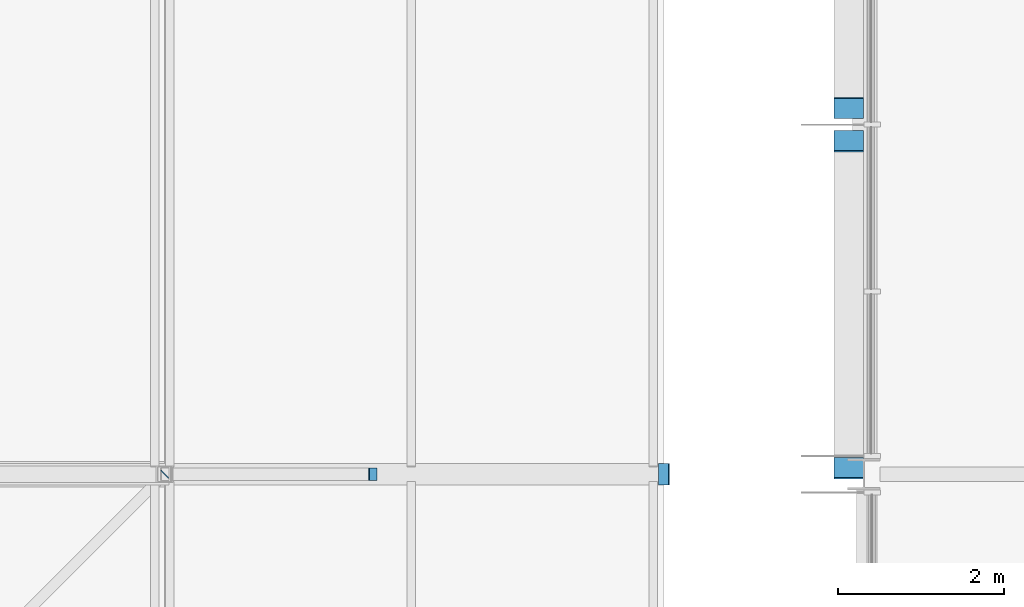
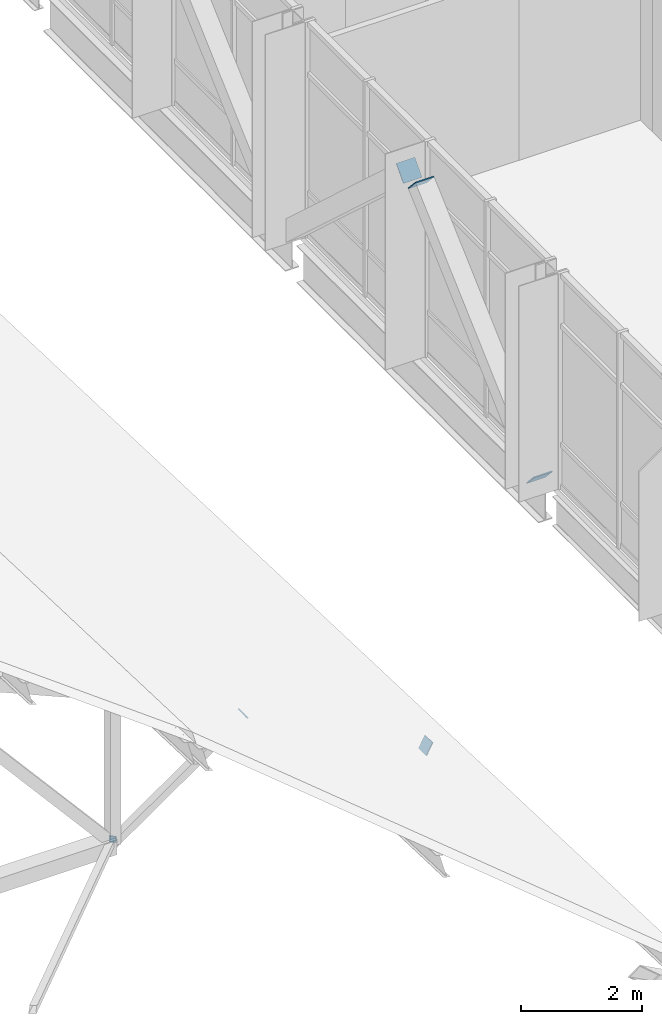
# One storey, part 54 of 76: 6 discrete accessories.
"""IFC4 building model written with IfcOpenShell, lengths in metres."""

from ifc_helpers import new_model, si_unit, direction, frame, origin, origin_2d, place, context, subcontext, project, spatial, rectangle, extrude, material, element, save


model = new_model("IFC4")

# Units and contexts
model_context = context("Model", 3, precision=1e-05, world=origin(), true_north=direction((0.0, 1.0)))
body_context = subcontext(model_context, "Body", "Model", "MODEL_VIEW")
ifc_project = project(units=[si_unit("LENGTHUNIT", "METRE"), si_unit("AREAUNIT", "SQUARE_METRE"), si_unit("VOLUMEUNIT", "CUBIC_METRE"), si_unit("PLANEANGLEUNIT", "RADIAN"), si_unit("MASSUNIT", "GRAM", prefix="KILO")], contexts=[model_context])

# Site, building, storey
site_placement = place(None, origin())
site = spatial("IfcSite", under=ifc_project, at=site_placement, CompositionType="ELEMENT")
building_placement = place(site_placement, origin())
building = spatial("IfcBuilding", under=site, at=building_placement, Name="Hlaing Beacon Police Headquarters", CompositionType="ELEMENT")
storey_placement = place(building_placement, frame((0.0, 0.0, 18.89990234375)))
storey = spatial("IfcBuildingStorey", under=building, at=storey_placement, Name="L04", CompositionType="ELEMENT", Elevation=18.89990234375)

# Discrete accessories
ifc_material = material(Name="Steel ASTM A572 Grade 50", Category="steel")
for number, where, z_axis, x_axis, name in (
    (1, (100.6181640625, 42.080322265625, 0.137939453125), (0.0, -0.738446730342, -0.674311816927), (1.0, 0.0, 0.0), "Gusset plate GP-049"),
    (2, (100.6181640625, 45.99267578125, 3.710205078125), (0.0, 0.738446730342, 0.674311816927), (-1.0, 0.0, 0.0), "Gusset plate GP-050"),
    (3, (100.6181640625, 46.4072265625, 3.710205078125), (0.0, -0.738446730342, 0.674311816927), (1.0, 0.0, 0.0), "Gusset plate GP-052"),
):
    element("IfcDiscreteAccessory", number, at=place(storey_placement, frame(where, z_axis=z_axis, x_axis=x_axis)), inside=storey, material=ifc_material, Name=name, PredefinedType="BRACKET", context=body_context, shape_type="SweptSolid", body=[
        extrude(rectangle(XDim=0.355712890625, YDim=0.355712890625, at=origin_2d()), origin(), (0.0, 0.0, 1.0), 0.02001953125),
    ])
discrete_accessory_1_placement = place(storey_placement, frame((94.893310546875, 42.0, -2.612060546875), z_axis=(0.820772849728, 0.0, 0.571254697267), x_axis=(0.0, 1.0, 0.0)))
element("IfcDiscreteAccessory", 4, at=discrete_accessory_1_placement, inside=storey, material=ifc_material, Name="Gusset plate GP-292", PredefinedType="BRACKET", context=body_context, shape_type="SweptSolid", body=[
    extrude(rectangle(XDim=0.15234375, YDim=0.15234375, at=origin_2d()), origin(), (0.0, 0.0, 1.0), 0.01611328125),
])
discrete_accessory_2_placement = place(storey_placement, frame((92.3955078125, 41.99560546875, -4.27392578125), z_axis=(0.707106781187, 0.707106781187, 0.0), x_axis=(-0.707106781187, 0.707106781187, 0.0)))
element("IfcDiscreteAccessory", 5, at=discrete_accessory_2_placement, inside=storey, material=ifc_material, Name="Gusset plate GP-396", PredefinedType="BRACKET", context=body_context, shape_type="SweptSolid", body=[
    extrude(rectangle(XDim=0.126953125, YDim=0.126953125, at=origin_2d()), origin(), (0.0, 0.0, 1.0), 0.011962890625),
])
discrete_accessory_3_placement = place(storey_placement, frame((98.39111328125, 42.0, -4.476318359375), z_axis=(0.881639912586, 0.0, -0.47192273153), x_axis=(0.0, 1.0, 0.0)))
element("IfcDiscreteAccessory", 6, at=discrete_accessory_3_placement, inside=storey, material=ifc_material, Name="Chord end plate CE-003", PredefinedType="BRACKET", context=body_context, shape_type="SweptSolid", body=[
    extrude(rectangle(XDim=0.25390625, YDim=0.25390625, at=origin_2d()), origin(), (0.0, 0.0, 1.0), 0.02001953125),
])

save(model, "model.ifc")
